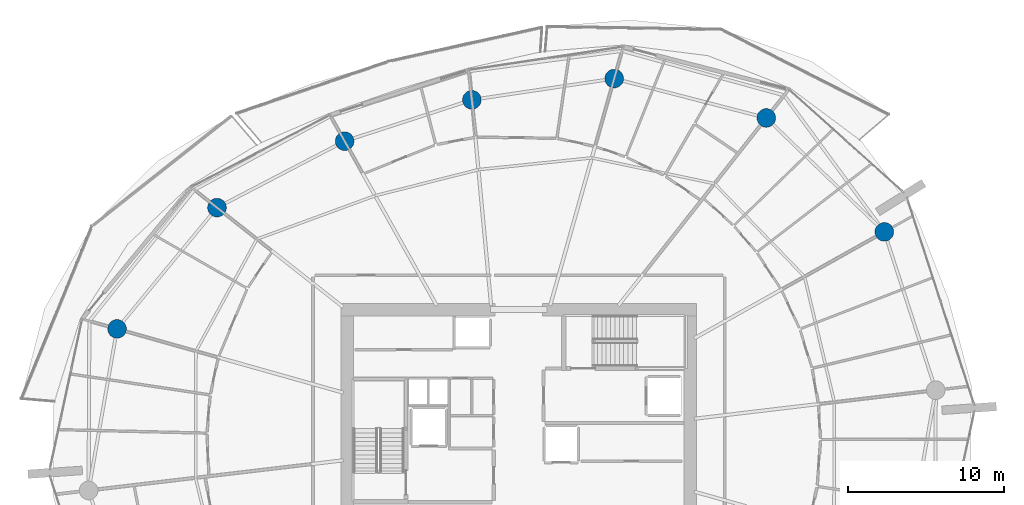
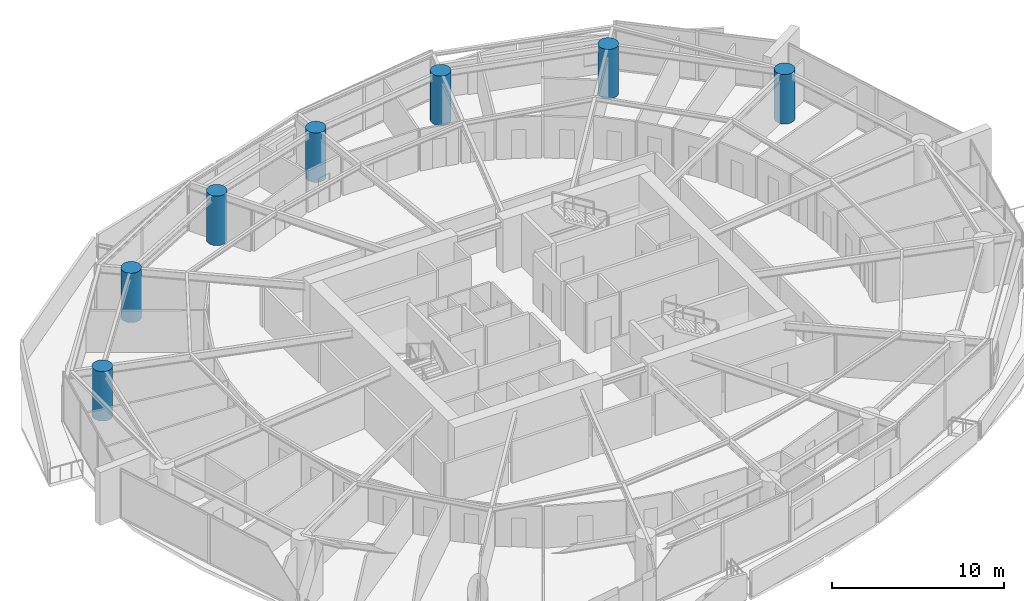
# One storey, part 4 of 23: 7 columns.
"""IFC4 building model written with IfcOpenShell, lengths in metres."""

from ifc_helpers import new_model, si_unit, direction, frame, origin, origin_2d, place, context, subcontext, project, spatial, circle, extrude, material, material_profile, profile_set, type_object, element, save


model = new_model("IFC4")

# Units and contexts
model_context = context("Model", 3, precision=1e-05, world=origin(), true_north=direction((0.0, 1.0)))
body_context = subcontext(model_context, "Body", "Model", "MODEL_VIEW")
ifc_project = project(units=[si_unit("LENGTHUNIT", "METRE"), si_unit("AREAUNIT", "SQUARE_METRE"), si_unit("VOLUMEUNIT", "CUBIC_METRE"), si_unit("PLANEANGLEUNIT", "RADIAN"), si_unit("MASSUNIT", "GRAM", prefix="KILO")], contexts=[model_context])

# Site, building, storey
site_placement = place(None, origin())
site = spatial("IfcSite", under=ifc_project, at=site_placement, CompositionType="ELEMENT")
building_placement = place(site_placement, origin())
building = spatial("IfcBuilding", under=site, at=building_placement, Name="Kazma Halo Residences", CompositionType="ELEMENT")
storey_placement = place(building_placement, frame((0.0, 0.0, 108.89990234375)))
storey = spatial("IfcBuildingStorey", under=building, at=storey_placement, Name="L27", CompositionType="ELEMENT", Elevation=108.89990234375)

# Columns
ifc_material = material(Name="Concrete C80/95", Category="concrete")
ifc_material_profile = material_profile(ifc_material, circle(Radius=0.60009765625, at=origin_2d()), Name="CIRC1200")
ifc_profile_set = profile_set([ifc_material_profile], Name="Concrete C80/95")
column_type = type_object("IfcColumnType", Name="COL-PERIM-1200", PredefinedType="COLUMN", material=ifc_profile_set)
for number, where, z_axis, x_axis, name in (
    (1, (71.9033203125, 55.386474609375, 0.0), (0.0, 0.0, 1.0), (1.0, 0.0, 0.0), "L27 perimeter ring column P01"),
    (2, (64.323486328125, 62.706298828125, 0.0), (0.0, 0.0, 1.0), (1.0, 0.0, 0.0), "L27 perimeter ring column P02"),
    (3, (54.552734375, 65.234130859375, 0.0), (0.0, 0.0, 1.0), (1.0, 0.0, 0.0), "L27 perimeter ring column P03"),
    (4, (45.41162109375, 63.869140625, 0.0), (0.0, 0.0, 1.0), (1.0, 0.0, 0.0), "L27 perimeter ring column P04"),
    (5, (37.23974609375, 61.2138671875, 0.0), (0.0, 0.0, 1.0), (1.0, 0.0, 0.0), "L27 perimeter ring column P05"),
    (6, (29.0419921875, 56.9453125, 0.0), (0.0, 0.0, 1.0), (1.0, 0.0, 0.0), "L27 perimeter ring column P06"),
    (7, (22.623291015625, 49.156982421875, 0.0), (0.0, 0.0, 1.0), (1.0, 0.0, 0.0), "L27 perimeter ring column P07"),
):
    element("IfcColumn", number, at=place(storey_placement, frame(where, z_axis=z_axis, x_axis=x_axis)), inside=storey, type_object=column_type, Name=name, PredefinedType="COLUMN", context=body_context, shape_type="SweptSolid", body=[
        extrude(circle(Radius=0.60009765625, at=origin_2d()), origin(), (0.0, 0.0, 1.0), 3.5),
    ])

save(model, "model.ifc")
